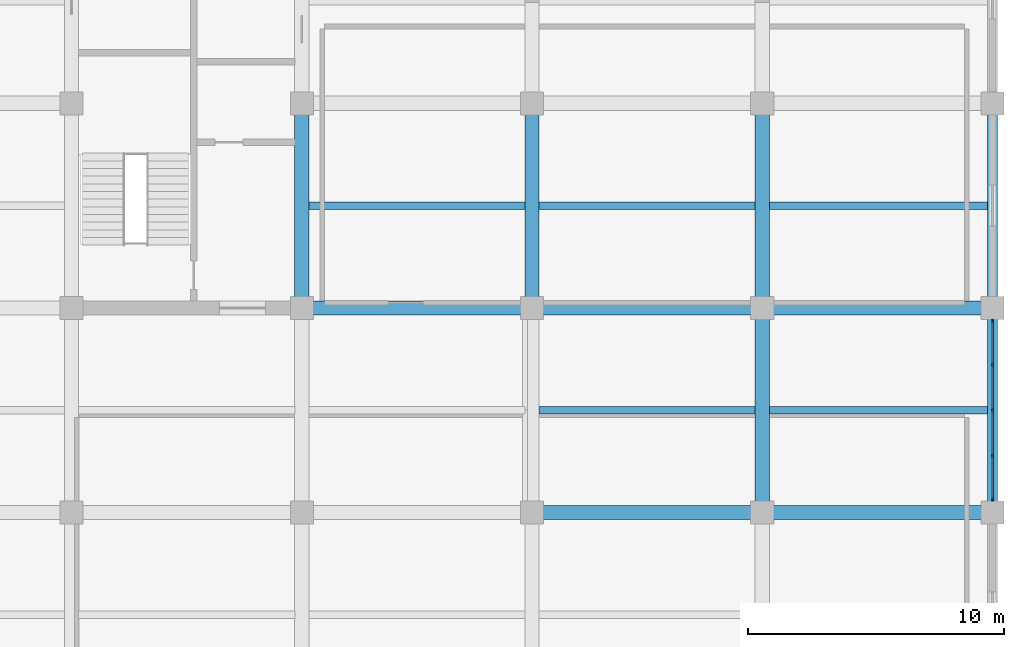
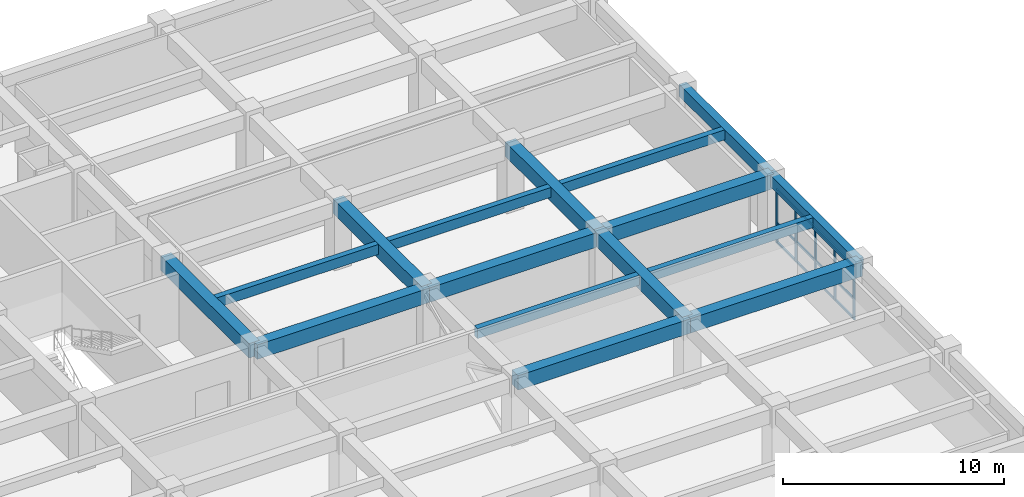
# One storey, part 7 of 16: 16 beams, 8 members, 1 element without a shape of its own.
"""IFC4 building model written with IfcOpenShell, lengths in metres."""

import ifcopenshell
import ifcopenshell.guid

model = None  # the IFC model being written
_history = None  # IfcOwnerHistory: only IFC2X3 demands one
_inside = {}  # id of a spatial element -> (the spatial element, [elements in it])
_under = {}  # id of a project, library or spatial element -> (it, [spatial elements below it])
_declared = {}  # id of a project -> (the project, [libraries it declares])
_typed = {}  # id of a type object -> (the type object, [elements of that type])
_made_of = {}  # id of a material, layer set ... -> (it, [elements and type objects made of it])


def new_model(schema):
    """Start an empty IFC model of exactly this schema.

    Asked for "IFC4X3", IfcOpenShell would pick the latest addendum, in which some entities
    have other attributes; the version numbers below select the first issue.
    IFC2X3 requires an IfcOwnerHistory on every rooted entity: one is made here for all.
    """
    global model, _history
    if schema == "IFC4X3":
        model = ifcopenshell.file(schema_version=(4, 3, 0, 0))
    else:
        model = ifcopenshell.file(schema=schema)
    _inside.clear()
    _under.clear()
    _declared.clear()
    _typed.clear()
    _made_of.clear()
    _history = None
    if model.schema == "IFC2X3":
        org = make("IfcOrganization", Name="unknown")
        user = make(
            "IfcPersonAndOrganization",
            ThePerson=make("IfcPerson", FamilyName="unknown"),
            TheOrganization=org,
        )
        app = make(
            "IfcApplication",
            ApplicationDeveloper=org,
            Version="unknown",
            ApplicationFullName="unknown",
            ApplicationIdentifier="unknown",
        )
        _history = make(
            "IfcOwnerHistory",
            OwningUser=user,
            OwningApplication=app,
            ChangeAction="ADDED",
            CreationDate=0,
        )
    return model


def make(cls, **values):
    """One entity of the class cls with the attributes given. An attribute that is None is left unset."""
    return model.create_entity(
        cls, **{name: value for name, value in values.items() if value is not None}
    )


def rooted(cls, **values):
    """An entity with a GlobalId (a new one), such as an element, a storey or a relation."""
    return make(cls, GlobalId=ifcopenshell.guid.new(), OwnerHistory=_history, **values)


def si_unit(unit_type, name, prefix=None):
    """IfcSIUnit, for example si_unit("LENGTHUNIT", "METRE", prefix="MILLI")."""
    return make("IfcSIUnit", UnitType=unit_type, Prefix=prefix, Name=name)


def assignment(units):
    """IfcUnitAssignment: the units of a project."""
    return None if units is None else make("IfcUnitAssignment", Units=units)


def point(xyz):
    """IfcCartesianPoint."""
    return None if xyz is None else make("IfcCartesianPoint", Coordinates=xyz)


def direction(xyz):
    """IfcDirection."""
    return None if xyz is None else make("IfcDirection", DirectionRatios=xyz)


def frame(location, z_axis=None, x_axis=None):
    """IfcAxis2Placement3D, a coordinate frame: its origin and axes. An axis left out is left unset."""
    return make(
        "IfcAxis2Placement3D",
        Location=point(location),
        Axis=direction(z_axis),
        RefDirection=direction(x_axis),
    )


def frame_2d(location, x_axis=None):
    """IfcAxis2Placement2D, a coordinate frame in the plane: its origin and x axis."""
    return make(
        "IfcAxis2Placement2D", Location=point(location), RefDirection=direction(x_axis)
    )


def origin():
    """The frame at (0, 0, 0) with its axes left unset."""
    return frame((0.0, 0.0, 0.0))


def origin_2d():
    """The frame at (0, 0) in the plane with its x axis left unset."""
    return frame_2d((0.0, 0.0))


def place(relative_to, where):
    """IfcLocalPlacement: puts the frame where relative to a parent placement (None: the world)."""
    return make(
        "IfcLocalPlacement", PlacementRelTo=relative_to, RelativePlacement=where
    )


def context(
    kind, dimensions, precision=None, world=None, true_north=None, identifier=None
):
    """IfcGeometricRepresentationContext, for example the 3D "Model" context."""
    return make(
        "IfcGeometricRepresentationContext",
        ContextIdentifier=identifier,
        ContextType=kind,
        CoordinateSpaceDimension=dimensions,
        Precision=precision,
        WorldCoordinateSystem=world,
        TrueNorth=true_north,
    )


def subcontext(parent, identifier, kind, view, scale=None):
    """IfcGeometricRepresentationSubContext, for example "Body" below "Model"."""
    return make(
        "IfcGeometricRepresentationSubContext",
        ContextIdentifier=identifier,
        ContextType=kind,
        ParentContext=parent,
        TargetScale=scale,
        TargetView=view,
    )


def project(units=None, contexts=None):
    """IfcProject with its units and contexts."""
    return rooted(
        "IfcProject",
        Name="project",
        RepresentationContexts=contexts,
        UnitsInContext=assignment(units),
    )


def spatial(cls, under=None, at=None, **own):
    """A site, building, storey or space (cls), placed at a placement, below another one or the project."""
    s = rooted(cls, ObjectPlacement=at, **own)
    if under is not None:
        _under.setdefault(under.id(), (under, []))[1].append(s)
    return s


def profile(cls, at=None, kind="AREA", **sizes):
    """A parametric profile (cls). Its sizes go by their IFC names, for example OverallWidth=200.0."""
    return make(cls, ProfileType=kind, Position=at, **sizes)


def rectangle(**sizes):
    """IfcRectangleProfileDef."""
    return profile("IfcRectangleProfileDef", **sizes)


def extrude(swept, where, along, depth):
    """IfcExtrudedAreaSolid: the profile swept, set in the frame where, extruded along a direction by depth."""
    return make(
        "IfcExtrudedAreaSolid",
        SweptArea=swept,
        Position=where,
        ExtrudedDirection=direction(along),
        Depth=depth,
    )


def shape(context_of_items, identifier, shape_type, items):
    """IfcShapeRepresentation: the items that make up one representation, for example the "Body"."""
    return make(
        "IfcShapeRepresentation",
        ContextOfItems=context_of_items,
        RepresentationIdentifier=identifier,
        RepresentationType=shape_type,
        Items=items,
    )


def material(Name=None, Category=None):
    """IfcMaterial."""
    return make("IfcMaterial", Name=Name, Category=Category)


def material_profile(
    of_material, cross_section, Name=None, Category=None, Priority=None
):
    """IfcMaterialProfile: a cross section and its material."""
    return make(
        "IfcMaterialProfile",
        Name=Name,
        Material=of_material,
        Profile=cross_section,
        Priority=Priority,
        Category=Category,
    )


def profile_set(profiles, Name=None, composite=None):
    """IfcMaterialProfileSet."""
    return make(
        "IfcMaterialProfileSet",
        Name=Name,
        MaterialProfiles=profiles,
        CompositeProfile=composite,
    )


def made_of(thing, what):
    """Note that an element or type object is made of a material, layer set ...; save() writes the relation."""
    if what is not None:
        _made_of.setdefault(what.id(), (what, []))[1].append(thing)
    return thing


def type_object(cls, material=None, **own):
    """A type object (cls), such as IfcWallType, which elements share."""
    return made_of(rooted(cls, **own), material)


def element(
    cls,
    number,
    at=None,
    inside=None,
    cuts=None,
    type_object=None,
    material=None,
    context=None,
    identifier="Body",
    shape_type=None,
    held_by="IfcProductDefinitionShape",
    body=None,
    shapes=None,
    **own,
):
    """One element of the class cls, such as IfcWall. Its Tag is "e" and its number.

    at: its placement. inside: the storey or other place that contains it. cuts: it is an
    opening in that element (IfcRelVoidsElement). A single representation is given by context,
    identifier, shape_type and body (its items); several are given by shapes. held_by: the class
    of the entity that holds the representations. save() writes the other relations.
    """
    e = rooted(cls, Tag="e%d" % number, ObjectPlacement=at, **own)
    if body is not None:
        shapes = [shape(context, identifier, shape_type, body)]
    if shapes is not None:
        e.Representation = make(held_by, Representations=shapes)
    if inside is not None:
        _inside.setdefault(inside.id(), (inside, []))[1].append(e)
    if cuts is not None:
        rooted(
            "IfcRelVoidsElement", RelatingBuildingElement=cuts, RelatedOpeningElement=e
        )
    if type_object is not None:
        _typed.setdefault(type_object.id(), (type_object, []))[1].append(e)
    return made_of(e, material)


def aggregate(whole, parts):
    """IfcRelAggregates: a whole, such as a stair, and the parts it consists of."""
    return rooted("IfcRelAggregates", RelatingObject=whole, RelatedObjects=parts)


def save(model, path):
    """Write the relations noted so far, then the file.

    IfcRelAggregates (storeys below a building ...), IfcRelContainedInSpatialStructure (elements
    in a storey), IfcRelDefinesByType, IfcRelAssociatesMaterial and IfcRelDeclares: one each for
    every whole, place, type object, material and project.
    """
    for whole, parts in _under.values():
        aggregate(whole, parts)
    for where, things in _inside.values():
        rooted(
            "IfcRelContainedInSpatialStructure",
            RelatedElements=things,
            RelatingStructure=where,
        )
    for kind, things in _typed.values():
        rooted("IfcRelDefinesByType", RelatedObjects=things, RelatingType=kind)
    for what, things in _made_of.values():
        rooted("IfcRelAssociatesMaterial", RelatedObjects=things, RelatingMaterial=what)
    for by, libraries in _declared.values():
        rooted("IfcRelDeclares", RelatingContext=by, RelatedDefinitions=libraries)
    model.write(path)


model = new_model("IFC4")

# Units and contexts
model_context = context("Model", 3, precision=1e-05, world=origin(), true_north=direction((0.0, 1.0)))
body_context = subcontext(model_context, "Body", "Model", "MODEL_VIEW")
ifc_project = project(units=[si_unit("LENGTHUNIT", "METRE"), si_unit("AREAUNIT", "SQUARE_METRE"), si_unit("VOLUMEUNIT", "CUBIC_METRE"), si_unit("PLANEANGLEUNIT", "RADIAN"), si_unit("MASSUNIT", "GRAM", prefix="KILO")], contexts=[model_context])

# Site, building, storey
site_placement = place(None, origin())
site = spatial("IfcSite", under=ifc_project, at=site_placement, CompositionType="ELEMENT")
building_placement = place(site_placement, origin())
building = spatial("IfcBuilding", under=site, at=building_placement, Name="Zaverband Oceanarium and Marine Research Institute", CompositionType="ELEMENT")
storey_placement = place(building_placement, frame((0.0, 0.0, 29.699951171875)))
storey = spatial("IfcBuildingStorey", under=building, at=storey_placement, Name="L07", CompositionType="ELEMENT", Elevation=29.699951171875)

# Beams
ifc_material_1 = material(Name="Concrete C40/50", Category="concrete")
ifc_material_profile_1 = material_profile(ifc_material_1, rectangle(XDim=0.550048828125, YDim=0.800048828125, at=origin_2d()), Name="RC550x800")
ifc_profile_set_1 = profile_set([ifc_material_profile_1], Name="Concrete C40/50")
beam_type_1 = type_object("IfcBeamType", Name="BM-550x800", PredefinedType="BEAM", material=ifc_profile_set_1)
for number, where, z_axis, x_axis, name in (
    (1, (54.0, 80.0, 3.25), (1.0, 0.0, 0.0), (0.0, 1.0, 0.0), "Primary floor girder BM-550x800"),
    (2, (63.0, 80.0, 3.25), (1.0, 0.0, 0.0), (0.0, 1.0, 0.0), "Primary floor girder BM-550x800"),
    (3, (45.0, 88.0, 3.25), (1.0, 0.0, 0.0), (0.0, 1.0, 0.0), "Primary floor girder BM-550x800"),
    (4, (54.0, 88.0, 3.25), (1.0, 0.0, 0.0), (0.0, 1.0, 0.0), "Primary floor girder BM-550x800"),
    (5, (63.0, 88.0, 3.25), (1.0, 0.0, 0.0), (0.0, 1.0, 0.0), "Primary floor girder BM-550x800"),
):
    element("IfcBeam", number, at=place(storey_placement, frame(where, z_axis=z_axis, x_axis=x_axis)), inside=storey, type_object=beam_type_1, Name=name, PredefinedType="BEAM", context=body_context, shape_type="SweptSolid", body=[
        extrude(rectangle(XDim=0.550048828125, YDim=0.800048828125, at=origin_2d()), origin(), (0.0, 0.0, 1.0), 9.0),
    ])
for number, where, z_axis, x_axis, name in (
    (6, (45.0, 88.0, 3.25), (0.0, 1.0, 0.0), (-1.0, 0.0, 0.0), "Primary floor girder BM-550x800"),
    (7, (54.0, 88.0, 3.25), (0.0, 1.0, 0.0), (-1.0, 0.0, 0.0), "Primary floor girder BM-550x800"),
    (8, (63.0, 80.0, 3.25), (0.0, 1.0, 0.0), (-1.0, 0.0, 0.0), "Primary floor girder BM-550x800"),
    (9, (63.0, 88.0, 3.25), (0.0, 1.0, 0.0), (-1.0, 0.0, 0.0), "Primary floor girder BM-550x800"),
):
    element("IfcBeam", number, at=place(storey_placement, frame(where, z_axis=z_axis, x_axis=x_axis)), inside=storey, type_object=beam_type_1, Name=name, PredefinedType="BEAM", context=body_context, shape_type="SweptSolid", body=[
        extrude(rectangle(XDim=0.550048828125, YDim=0.800048828125, at=origin_2d()), origin(), (0.0, 0.0, 1.0), 8.0),
    ])
ifc_material_profile_2 = material_profile(ifc_material_1, rectangle(XDim=0.300048828125, YDim=0.550048828125, at=origin_2d()), Name="RC300x550")
ifc_profile_set_2 = profile_set([ifc_material_profile_2], Name="Concrete C40/50")
beam_type_2 = type_object("IfcBeamType", Name="JST-300x550", PredefinedType="JOIST", material=ifc_profile_set_2)
for number, where, z_axis, x_axis, name in (
    (10, (45.27490234375, 92.0, 3.375), (1.0, 0.0, 0.0), (0.0, 1.0, 0.0), "Secondary floor joist JST-300x550"),
    (11, (54.27490234375, 84.0, 3.375), (1.0, 0.0, 0.0), (0.0, 1.0, 0.0), "Secondary floor joist JST-300x550"),
    (12, (54.27490234375, 92.0, 3.375), (1.0, 0.0, 0.0), (0.0, 1.0, 0.0), "Secondary floor joist JST-300x550"),
):
    element("IfcBeam", number, at=place(storey_placement, frame(where, z_axis=z_axis, x_axis=x_axis)), inside=storey, type_object=beam_type_2, Name=name, PredefinedType="JOIST", context=body_context, shape_type="SweptSolid", body=[
        extrude(rectangle(XDim=0.300048828125, YDim=0.550048828125, at=origin_2d()), origin(), (0.0, 0.0, 1.0), 8.4501953125),
    ])
for number, where, z_axis, x_axis, name in (
    (13, (63.27490234375, 84.0, 3.375), (1.0, 0.0, 0.0), (0.0, 1.0, 0.0), "Secondary floor joist JST-300x550"),
    (14, (63.27490234375, 92.0, 3.375), (1.0, 0.0, 0.0), (0.0, 1.0, 0.0), "Secondary floor joist JST-300x550"),
):
    element("IfcBeam", number, at=place(storey_placement, frame(where, z_axis=z_axis, x_axis=x_axis)), inside=storey, type_object=beam_type_2, Name=name, PredefinedType="JOIST", context=body_context, shape_type="SweptSolid", body=[
        extrude(rectangle(XDim=0.300048828125, YDim=0.550048828125, at=origin_2d()), origin(), (0.0, 0.0, 1.0), 8.525146484375),
    ])

# Curtain wall, members
ifc_material_2 = material(Name="Thermally broken anodized aluminium and solar-control glass", Category="aluminium")
curtain_wall_type = type_object("IfcCurtainWallType", Name="CW-UNIT-1800", PredefinedType="NOTDEFINED", material=ifc_material_2)
curtain_wall_placement = place(storey_placement, origin())
curtain_wall = element("IfcCurtainWall", 15, at=curtain_wall_placement, inside=storey, type_object=curtain_wall_type, Name="Unitised glazed curtain wall CW-093", PredefinedType="NOTDEFINED")
ifc_material_3 = material(Name="Thermally broken anodized aluminium", Category="aluminium")
ifc_material_profile_3 = material_profile(ifc_material_3, rectangle(XDim=0.070068359375, YDim=0.14990234375, at=origin_2d()), Name="AL-MUL-70x150")
ifc_profile_set_3 = profile_set([ifc_material_profile_3], Name="Thermally broken anodized aluminium")
member_type_1 = type_object("IfcMemberType", Name="MUL-70x150", PredefinedType="MULLION", material=ifc_profile_set_3)
member_1_placement = place(storey_placement, frame((72.0, 80.514892578125, 0.0), z_axis=(0.0, 0.0, 1.0), x_axis=(1.0, 0.0, 0.0)))
member_1 = element("IfcMember", 16, at=member_1_placement, type_object=member_type_1, Name="Curtain wall vertical mullion MUL-70x150", PredefinedType="MULLION", context=body_context, shape_type="SweptSolid", body=[
    extrude(rectangle(XDim=0.070068359375, YDim=0.14990234375, at=origin_2d()), origin(), (0.0, 0.0, 1.0), 2.97998046875),
])
member_2_placement = place(storey_placement, frame((72.0, 82.2275390625, 0.0), z_axis=(0.0, 0.0, 1.0), x_axis=(1.0, 0.0, 0.0)))
member_2 = element("IfcMember", 17, at=member_2_placement, type_object=member_type_1, Name="Curtain wall vertical mullion MUL-70x150", PredefinedType="MULLION", context=body_context, shape_type="SweptSolid", body=[
    extrude(rectangle(XDim=0.070068359375, YDim=0.14990234375, at=origin_2d()), origin(), (0.0, 0.0, 1.0), 2.97998046875),
])
member_3_placement = place(storey_placement, frame((72.0, 84.0, 0.0), z_axis=(0.0, 0.0, 1.0), x_axis=(1.0, 0.0, 0.0)))
member_3 = element("IfcMember", 18, at=member_3_placement, type_object=member_type_1, Name="Curtain wall vertical mullion MUL-70x150", PredefinedType="MULLION", context=body_context, shape_type="SweptSolid", body=[
    extrude(rectangle(XDim=0.070068359375, YDim=0.14990234375, at=origin_2d()), origin(), (0.0, 0.0, 1.0), 2.97998046875),
])
member_4_placement = place(storey_placement, frame((72.0, 85.7724609375, 0.0), z_axis=(0.0, 0.0, 1.0), x_axis=(1.0, 0.0, 0.0)))
member_4 = element("IfcMember", 19, at=member_4_placement, type_object=member_type_1, Name="Curtain wall vertical mullion MUL-70x150", PredefinedType="MULLION", context=body_context, shape_type="SweptSolid", body=[
    extrude(rectangle(XDim=0.070068359375, YDim=0.14990234375, at=origin_2d()), origin(), (0.0, 0.0, 1.0), 2.97998046875),
])
member_5_placement = place(storey_placement, frame((72.0, 87.485107421875, 0.0), z_axis=(0.0, 0.0, 1.0), x_axis=(1.0, 0.0, 0.0)))
member_5 = element("IfcMember", 20, at=member_5_placement, type_object=member_type_1, Name="Curtain wall vertical mullion MUL-70x150", PredefinedType="MULLION", context=body_context, shape_type="SweptSolid", body=[
    extrude(rectangle(XDim=0.070068359375, YDim=0.14990234375, at=origin_2d()), origin(), (0.0, 0.0, 1.0), 2.97998046875),
])

# Beams
ifc_material_profile_4 = material_profile(ifc_material_1, rectangle(XDim=0.39990234375, YDim=0.64990234375, at=origin_2d()), Name="RC400x650")
ifc_profile_set_4 = profile_set([ifc_material_profile_4], Name="Concrete C40/50")
beam_type_3 = type_object("IfcBeamType", Name="SPN-400x650", PredefinedType="SPANDREL", material=ifc_profile_set_4)
for number, where, z_axis, x_axis, name in (
    (21, (72.0, 80.0, 3.324951171875), (0.0, 1.0, 0.0), (-1.0, 0.0, 0.0), "Perimeter spandrel beam SPN-400x650"),
    (22, (72.0, 88.0, 3.324951171875), (0.0, 1.0, 0.0), (-1.0, 0.0, 0.0), "Perimeter spandrel beam SPN-400x650"),
):
    element("IfcBeam", number, at=place(storey_placement, frame(where, z_axis=z_axis, x_axis=x_axis)), inside=storey, type_object=beam_type_3, Name=name, PredefinedType="SPANDREL", context=body_context, shape_type="SweptSolid", body=[
        extrude(rectangle(XDim=0.39990234375, YDim=0.64990234375, at=origin_2d()), origin(), (0.0, 0.0, 1.0), 8.0),
    ])

# Member
ifc_material_profile_5 = material_profile(ifc_material_3, rectangle(XDim=0.070068359375, YDim=0.114990234375, at=origin_2d()), Name="AL-TRN-70x115")
ifc_profile_set_5 = profile_set([ifc_material_profile_5], Name="Thermally broken anodized aluminium")
member_type_2 = type_object("IfcMemberType", Name="TRN-70x115", PredefinedType="USERDEFINED", material=ifc_profile_set_5)
member_6_placement = place(storey_placement, frame((72.0, 80.514892578125, 0.050048828125), z_axis=(0.0, 1.0, 0.0), x_axis=(-1.0, 0.0, 0.0)))
member_6 = element("IfcMember", 23, at=member_6_placement, type_object=member_type_2, Name="Curtain wall horizontal transom TRN-70x115", ObjectType="TRANSOM", PredefinedType="USERDEFINED", context=body_context, shape_type="SweptSolid", body=[
    extrude(rectangle(XDim=0.070068359375, YDim=0.114990234375, at=origin_2d()), origin(), (0.0, 0.0, 1.0), 6.97021484375),
])

member_7_placement = place(storey_placement, frame((72.0, 80.514892578125, 1.123046875), z_axis=(0.0, 1.0, 0.0), x_axis=(-1.0, 0.0, 0.0)))
member_7 = element("IfcMember", 24, at=member_7_placement, type_object=member_type_2, Name="Curtain wall horizontal transom TRN-70x115", ObjectType="TRANSOM", PredefinedType="USERDEFINED", context=body_context, shape_type="SweptSolid", body=[
    extrude(rectangle(XDim=0.070068359375, YDim=0.114990234375, at=origin_2d()), origin(), (0.0, 0.0, 1.0), 6.97021484375),
])

member_8_placement = place(storey_placement, frame((72.0, 80.514892578125, 2.929931640625), z_axis=(0.0, 1.0, 0.0), x_axis=(-1.0, 0.0, 0.0)))
member_8 = element("IfcMember", 25, at=member_8_placement, type_object=member_type_2, Name="Curtain wall horizontal transom TRN-70x115", ObjectType="TRANSOM", PredefinedType="USERDEFINED", context=body_context, shape_type="SweptSolid", body=[
    extrude(rectangle(XDim=0.070068359375, YDim=0.114990234375, at=origin_2d()), origin(), (0.0, 0.0, 1.0), 6.97021484375),
])

aggregate(curtain_wall, [member_1, member_2, member_3, member_4, member_5, member_6, member_7, member_8])

save(model, "model.ifc")
